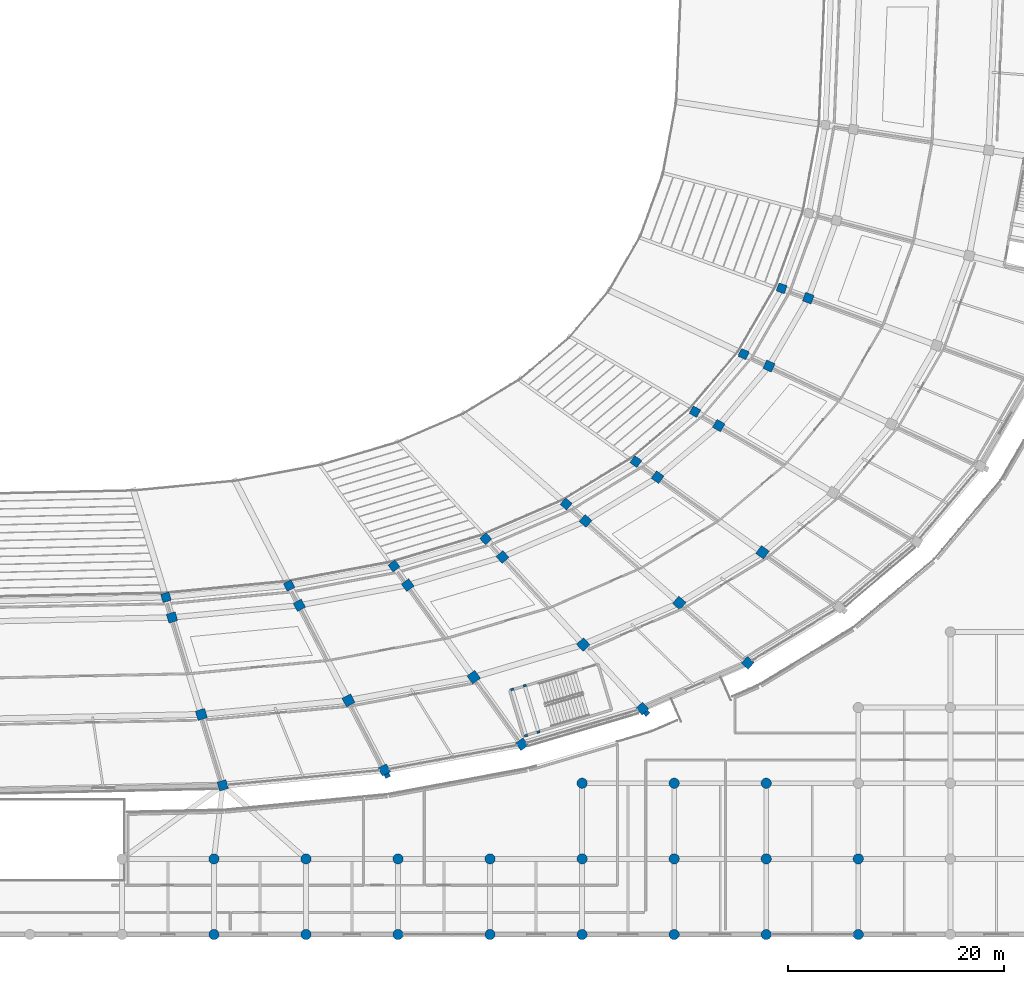
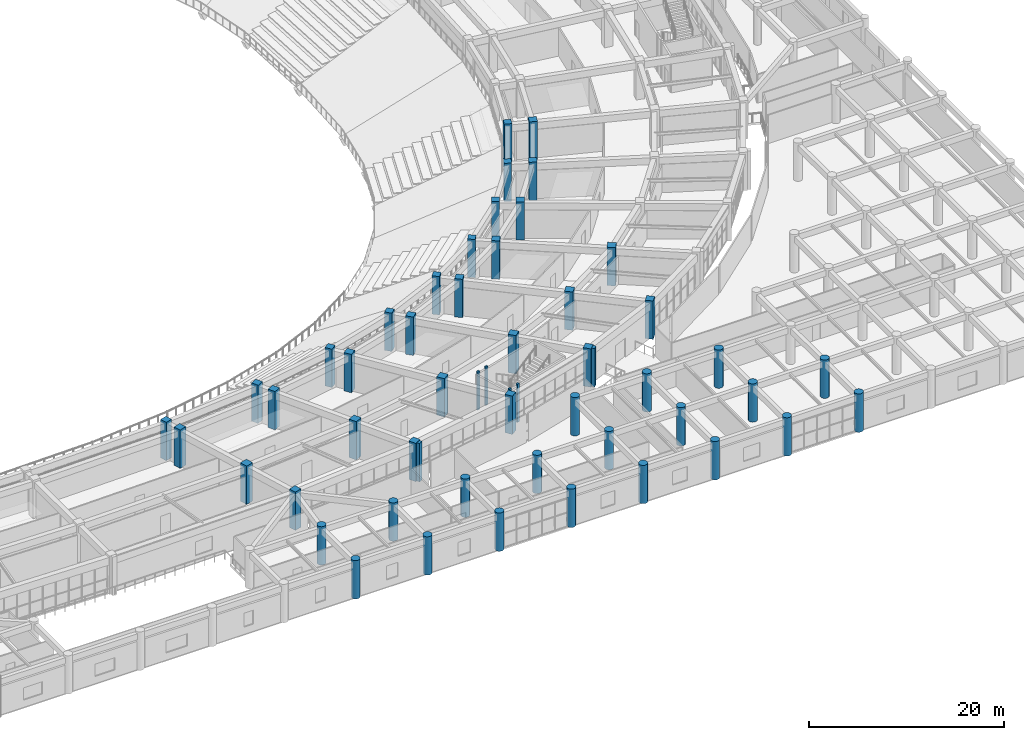
# One storey, part 4 of 152: 54 columns.
"""IFC4 building model written with IfcOpenShell, lengths in metres."""

from ifc_helpers import new_model, si_unit, direction, frame, origin, origin_2d, place, context, subcontext, project, spatial, rectangle, circle, extrude, material, material_profile, profile_set, type_object, element, save


model = new_model("IFC4")

# Units and contexts
model_context = context("Model", 3, precision=1e-05, world=origin(), true_north=direction((0.0, 1.0)))
body_context = subcontext(model_context, "Body", "Model", "MODEL_VIEW")
ifc_project = project(units=[si_unit("LENGTHUNIT", "METRE"), si_unit("AREAUNIT", "SQUARE_METRE"), si_unit("VOLUMEUNIT", "CUBIC_METRE"), si_unit("PLANEANGLEUNIT", "RADIAN"), si_unit("MASSUNIT", "GRAM", prefix="KILO")], contexts=[model_context])

# Site, building, storey
site_placement = place(None, origin())
site = spatial("IfcSite", under=ifc_project, at=site_placement, CompositionType="ELEMENT")
building_placement = place(site_placement, origin())
building = spatial("IfcBuilding", under=site, at=building_placement, Name="Mphavela Belvedere Stadium", CompositionType="ELEMENT")
storey_placement = place(building_placement, frame((0.0, 0.0, 5.39990234375)))
storey = spatial("IfcBuildingStorey", under=building, at=storey_placement, Name="L01", CompositionType="ELEMENT", Elevation=5.39990234375)

# Columns
ifc_material_1 = material(Name="Concrete C40/50", Category="concrete")
ifc_material_profile_1 = material_profile(ifc_material_1, rectangle(XDim=0.300048828125, YDim=0.219970703125, at=origin_2d()), Name="RC 300x220")
ifc_profile_set_1 = profile_set([ifc_material_profile_1], Name="Concrete C40/50")
column_type_1 = type_object("IfcColumnType", Name="COL-CORE-POST-300", PredefinedType="COLUMN", material=ifc_profile_set_1)
for number, where, z_axis, x_axis, name in (
    (1, (165.05419921875, 23.027099609375, 0.0), (0.0, 0.0, 1.0), (-0.958670893355, -0.284517342588, 0.0), "Core P04 stair frame column L01-1"),
    (2, (163.90380859375, 22.685791015625, 0.0), (0.0, 0.0, 1.0), (-0.958670893355, -0.284517342588, 0.0), "Core P04 stair frame column L01-2"),
    (3, (165.175537109375, 18.400390625, 0.0), (0.0, 0.0, 1.0), (-0.958670893355, -0.284517342588, 0.0), "Core P04 stair frame column L01-3"),
    (4, (166.325927734375, 18.741943359375, 0.0), (0.0, 0.0, 1.0), (-0.958670893355, -0.284517342588, 0.0), "Core P04 stair frame column L01-4"),
):
    element("IfcColumn", number, at=place(storey_placement, frame(where, z_axis=z_axis, x_axis=x_axis)), inside=storey, type_object=column_type_1, Name=name, PredefinedType="COLUMN", context=body_context, shape_type="SweptSolid", body=[
        extrude(rectangle(XDim=0.300048828125, YDim=0.219970703125, at=origin_2d()), origin(), (0.0, 0.0, 1.0), 4.800048828125),
    ])
ifc_material_2 = material(Name="Concrete C40/50", Category="concrete")
ifc_material_profile_2 = material_profile(ifc_material_2, circle(Radius=0.47509765625, at=origin_2d()), Name="COL D950")
ifc_profile_set_2 = profile_set([ifc_material_profile_2], Name="Concrete C40/50")
column_type_2 = type_object("IfcColumnType", Name="COL-DORIC-950", PredefinedType="COLUMN", material=ifc_profile_set_2)
for number, where, z_axis, x_axis, name in (
    (5, (136.2958984375, 0.0, 0.0), (0.0, 0.0, 1.0), (1.0, 0.0, 0.0), "South Axial Triumphal Peristyle Portico classical column L01 17-1"),
    (6, (136.2958984375, 7.0, 0.0), (0.0, 0.0, 1.0), (1.0, 0.0, 0.0), "South Axial Triumphal Peristyle Portico classical column L01 17-2"),
    (7, (144.81494140625, 0.0, 0.0), (0.0, 0.0, 1.0), (1.0, 0.0, 0.0), "South Axial Triumphal Peristyle Portico classical column L01 18-1"),
    (8, (144.81494140625, 7.0, 0.0), (0.0, 0.0, 1.0), (1.0, 0.0, 0.0), "South Axial Triumphal Peristyle Portico classical column L01 18-2"),
    (9, (153.3330078125, 0.0, 0.0), (0.0, 0.0, 1.0), (1.0, 0.0, 0.0), "South Axial Triumphal Peristyle Portico classical column L01 19-1"),
    (10, (153.3330078125, 7.0, 0.0), (0.0, 0.0, 1.0), (1.0, 0.0, 0.0), "South Axial Triumphal Peristyle Portico classical column L01 19-2"),
    (11, (161.85205078125, 0.0, 0.0), (0.0, 0.0, 1.0), (1.0, 0.0, 0.0), "South Axial Triumphal Peristyle Portico classical column L01 20-1"),
    (12, (161.85205078125, 7.0, 0.0), (0.0, 0.0, 1.0), (1.0, 0.0, 0.0), "South Axial Triumphal Peristyle Portico classical column L01 20-2"),
    (13, (170.3701171875, 0.0, 0.0), (0.0, 0.0, 1.0), (1.0, 0.0, 0.0), "South Axial Triumphal Peristyle Portico classical column L01 21-1"),
    (14, (170.3701171875, 7.0, 0.0), (0.0, 0.0, 1.0), (1.0, 0.0, 0.0), "South Axial Triumphal Peristyle Portico classical column L01 21-2"),
    (15, (170.3701171875, 14.0, 0.0), (0.0, 0.0, 1.0), (1.0, 0.0, 0.0), "South Axial Triumphal Peristyle Portico classical column L01 21-3"),
    (16, (178.888916015625, 0.0, 0.0), (0.0, 0.0, 1.0), (1.0, 0.0, 0.0), "South Axial Triumphal Peristyle Portico classical column L01 22-1"),
    (17, (178.888916015625, 7.0, 0.0), (0.0, 0.0, 1.0), (1.0, 0.0, 0.0), "South Axial Triumphal Peristyle Portico classical column L01 22-2"),
    (18, (178.888916015625, 14.0, 0.0), (0.0, 0.0, 1.0), (1.0, 0.0, 0.0), "South Axial Triumphal Peristyle Portico classical column L01 22-3"),
    (19, (187.406982421875, 0.0, 0.0), (0.0, 0.0, 1.0), (1.0, 0.0, 0.0), "South Axial Triumphal Peristyle Portico classical column L01 23-1"),
    (20, (187.406982421875, 7.0, 0.0), (0.0, 0.0, 1.0), (1.0, 0.0, 0.0), "South Axial Triumphal Peristyle Portico classical column L01 23-2"),
    (21, (187.406982421875, 14.0, 0.0), (0.0, 0.0, 1.0), (1.0, 0.0, 0.0), "South Axial Triumphal Peristyle Portico classical column L01 23-3"),
    (22, (195.926025390625, 0.0, 0.0), (0.0, 0.0, 1.0), (1.0, 0.0, 0.0), "South Axial Triumphal Peristyle Portico classical column L01 24-1"),
    (23, (195.926025390625, 7.0, 0.0), (0.0, 0.0, 1.0), (1.0, 0.0, 0.0), "South Axial Triumphal Peristyle Portico classical column L01 24-2"),
):
    element("IfcColumn", number, at=place(storey_placement, frame(where, z_axis=z_axis, x_axis=x_axis)), inside=storey, type_object=column_type_2, Name=name, PredefinedType="COLUMN", context=body_context, shape_type="SweptSolid", body=[
        extrude(circle(Radius=0.47509765625, at=origin_2d()), origin(), (0.0, 0.0, 1.0), 4.800048828125),
    ])
ifc_material_3 = material(Name="Concrete C40/50", Category="concrete")
ifc_material_profile_3 = material_profile(ifc_material_3, rectangle(XDim=0.800048828125, YDim=0.800048828125, at=origin_2d()), Name="RC 800x800")
ifc_profile_set_3 = profile_set([ifc_material_profile_3], Name="Concrete C40/50")
column_type_3 = type_object("IfcColumnType", Name="COL-RC800", PredefinedType="COLUMN", material=ifc_profile_set_3)
for number, where, z_axis, x_axis, name in (
    (24, (131.857177734375, 31.20703125, 0.0), (0.0, 0.0, 1.0), (0.289198876314, -0.957269037387, 0.0), "Inner concourse column L01 R1-38"),
    (25, (143.25927734375, 32.294189453125, 0.0), (0.0, 0.0, 1.0), (0.458959712465, -0.888457079624, 0.0), "Inner concourse column L01 R1-39"),
    (26, (152.961669921875, 34.101318359375, 0.0), (0.0, 0.0, 1.0), (0.582974127943, -0.812490717577, 0.0), "Inner concourse column L01 R1-40"),
    (27, (161.450439453125, 36.62109375, 0.0), (0.0, 0.0, 1.0), (0.677903094969, -0.735151272753, 0.0), "Inner concourse column L01 R1-41"),
    (28, (168.88916015625, 39.845703125, 0.0), (0.0, 0.0, 1.0), (0.752529860433, -0.658558128912, 0.0), "Inner concourse column L01 R1-42"),
    (29, (175.33740234375, 43.7685546875, 0.0), (0.0, 0.0, 1.0), (0.812897512265, -0.582406760395, 0.0), "Inner concourse column L01 R1-43"),
    (30, (180.8125, 48.388671875, 0.0), (0.0, 0.0, 1.0), (0.862513669207, -0.506033764121, 0.0), "Inner concourse column L01 R1-44"),
    (31, (185.31298828125, 53.718505859375, 0.0), (0.0, 0.0, 1.0), (0.903858661687, -0.4278311813, 0.0), "Inner concourse column L01 R1-45"),
    (32, (188.829833984375, 59.80078125, 0.0), (0.0, 0.0, 1.0), (0.938372433776, -0.34562577382, 0.0), "Inner concourse column L01 R1-46"),
):
    element("IfcColumn", number, at=place(storey_placement, frame(where, z_axis=z_axis, x_axis=x_axis)), inside=storey, type_object=column_type_3, Name=name, PredefinedType="COLUMN", context=body_context, shape_type="SweptSolid", body=[
        extrude(rectangle(XDim=0.800048828125, YDim=0.800048828125, at=origin_2d()), origin(), (0.0, 0.0, 1.0), 4.800048828125),
    ])
ifc_material_4 = material(Name="Concrete C40/50", Category="concrete")
ifc_material_profile_4 = material_profile(ifc_material_4, rectangle(XDim=0.85009765625, YDim=0.85009765625, at=origin_2d()), Name="RC 850x850")
ifc_profile_set_4 = profile_set([ifc_material_profile_4], Name="Concrete C40/50")
column_type_4 = type_object("IfcColumnType", Name="COL-RC850", PredefinedType="COLUMN", material=ifc_profile_set_4)
for number, where, z_axis, x_axis, name in (
    (33, (132.42041015625, 29.342529296875, 0.0), (0.0, 0.0, 1.0), (0.289198876314, -0.957269037387, 0.0), "Middle concourse column L01 R2-38"),
    (34, (137.114501953125, 13.80615234375, 0.0), (0.0, 0.0, 1.0), (0.289198876314, -0.957269037387, 0.0), "Outer colonnade column L01 R4-38"),
    (35, (144.20361328125, 30.46630859375, 0.0), (0.0, 0.0, 1.0), (0.458959712465, -0.888457079624, 0.0), "Middle concourse column L01 R2-39"),
    (36, (152.07275390625, 15.232666015625, 0.0), (0.0, 0.0, 1.0), (0.458959712465, -0.888457079624, 0.0), "Outer colonnade column L01 R4-39"),
    (37, (154.230224609375, 32.33349609375, 0.0), (0.0, 0.0, 1.0), (0.582974127943, -0.812490717577, 0.0), "Middle concourse column L01 R2-40"),
    (38, (164.80126953125, 17.60302734375, 0.0), (0.0, 0.0, 1.0), (0.582974127943, -0.812490717577, 0.0), "Outer colonnade column L01 R4-40"),
    (39, (163.002685546875, 34.9375, 0.0), (0.0, 0.0, 1.0), (0.677903094969, -0.735151272753, 0.0), "Middle concourse column L01 R2-41"),
    (40, (175.9375, 20.90869140625, 0.0), (0.0, 0.0, 1.0), (0.677903094969, -0.735151272753, 0.0), "Outer colonnade column L01 R4-41"),
    (41, (170.68994140625, 38.27001953125, 0.0), (0.0, 0.0, 1.0), (0.752529860433, -0.658558128912, 0.0), "Middle concourse column L01 R2-42"),
    (42, (185.6962890625, 25.13916015625, 0.0), (0.0, 0.0, 1.0), (0.752529860433, -0.658558128912, 0.0), "Outer colonnade column L01 R4-42"),
    (43, (177.353759765625, 42.323974609375, 0.0), (0.0, 0.0, 1.0), (0.812897512265, -0.582406760395, 0.0), "Middle concourse column L01 R2-43"),
    (44, (183.01171875, 47.098388671875, 0.0), (0.0, 0.0, 1.0), (0.862513669207, -0.506033764121, 0.0), "Middle concourse column L01 R2-44"),
    (45, (187.66259765625, 52.606201171875, 0.0), (0.0, 0.0, 1.0), (0.903858661687, -0.4278311813, 0.0), "Middle concourse column L01 R2-45"),
    (46, (191.297119140625, 58.891845703125, 0.0), (0.0, 0.0, 1.0), (0.938372433776, -0.34562577382, 0.0), "Middle concourse column L01 R2-46"),
):
    element("IfcColumn", number, at=place(storey_placement, frame(where, z_axis=z_axis, x_axis=x_axis)), inside=storey, type_object=column_type_4, Name=name, PredefinedType="COLUMN", context=body_context, shape_type="SweptSolid", body=[
        extrude(rectangle(XDim=0.85009765625, YDim=0.85009765625, at=origin_2d()), origin(), (0.0, 0.0, 1.0), 4.800048828125),
    ])
ifc_material_5 = material(Name="Concrete C40/50", Category="concrete")
ifc_material_profile_5 = material_profile(ifc_material_5, rectangle(XDim=0.89990234375, YDim=0.89990234375, at=origin_2d()), Name="RC 900x900")
ifc_profile_set_5 = profile_set([ifc_material_profile_5], Name="Concrete C40/50")
column_type_5 = type_object("IfcColumnType", Name="COL-RC900", PredefinedType="COLUMN", material=ifc_profile_set_5)
for number, where, z_axis, x_axis, name in (
    (47, (135.1328125, 20.365966796875, 0.0), (0.0, 0.0, 1.0), (0.289198876314, -0.957269037387, 0.0), "Main bowl column L01 R3-38"),
    (48, (148.750244140625, 21.66455078125, 0.0), (0.0, 0.0, 1.0), (0.458959712465, -0.888457079624, 0.0), "Main bowl column L01 R3-39"),
    (49, (160.337890625, 23.822509765625, 0.0), (0.0, 0.0, 1.0), (0.582974127943, -0.812490717577, 0.0), "Main bowl column L01 R3-40"),
    (50, (170.476318359375, 26.83203125, 0.0), (0.0, 0.0, 1.0), (0.677903094969, -0.735151272753, 0.0), "Main bowl column L01 R3-41"),
    (51, (179.360107421875, 30.68310546875, 0.0), (0.0, 0.0, 1.0), (0.752529860433, -0.658558128912, 0.0), "Main bowl column L01 R3-42"),
    (52, (187.061279296875, 35.368408203125, 0.0), (0.0, 0.0, 1.0), (0.812897512265, -0.582406760395, 0.0), "Main bowl column L01 R3-43"),
):
    element("IfcColumn", number, at=place(storey_placement, frame(where, z_axis=z_axis, x_axis=x_axis)), inside=storey, type_object=column_type_5, Name=name, PredefinedType="COLUMN", context=body_context, shape_type="SweptSolid", body=[
        extrude(rectangle(XDim=0.89990234375, YDim=0.89990234375, at=origin_2d()), origin(), (0.0, 0.0, 1.0), 4.800048828125),
    ])
ifc_material_6 = material(Name="Concrete C40/50", Category="concrete")
ifc_material_profile_6 = material_profile(ifc_material_6, rectangle(XDim=0.5, YDim=0.35009765625, at=origin_2d()), Name="PIL 500x350")
ifc_profile_set_6 = profile_set([ifc_material_profile_6], Name="Concrete C40/50")
column_type_6 = type_object("IfcColumnType", Name="PIL-FLUTED-500", PredefinedType="PILASTER", material=ifc_profile_set_6)
for number, where, z_axis, x_axis, name in (
    (53, (152.349609375, 14.697021484375, 0.0), (0.0, 0.0, 1.0), (0.888457079624, 0.458959712465, 0.0), "Fluted classical pilaster L01-39"),
    (54, (176.346435546875, 20.46533203125, 0.0), (0.0, 0.0, 1.0), (0.735151272753, 0.677903094969, 0.0), "Fluted classical pilaster L01-41"),
):
    element("IfcColumn", number, at=place(storey_placement, frame(where, z_axis=z_axis, x_axis=x_axis)), inside=storey, type_object=column_type_6, Name=name, PredefinedType="PILASTER", context=body_context, shape_type="SweptSolid", body=[
        extrude(rectangle(XDim=0.5, YDim=0.35009765625, at=origin_2d()), origin(), (0.0, 0.0, 1.0), 4.800048828125),
    ])

save(model, "model.ifc")
